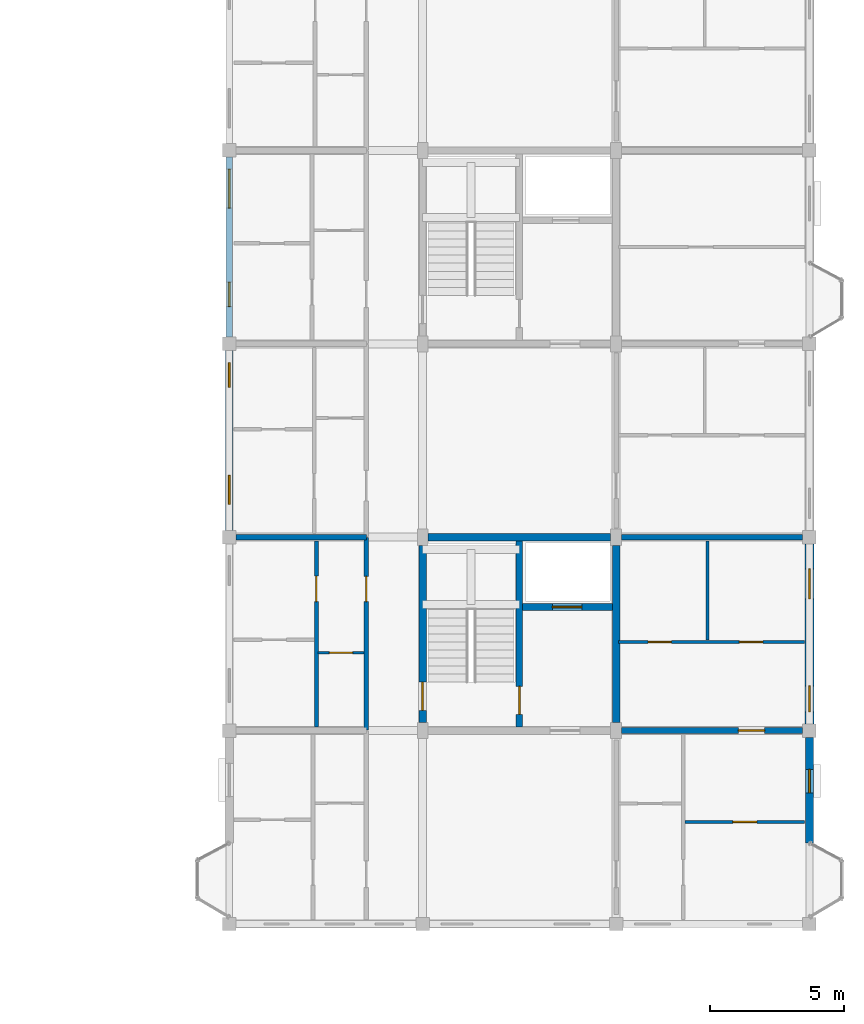
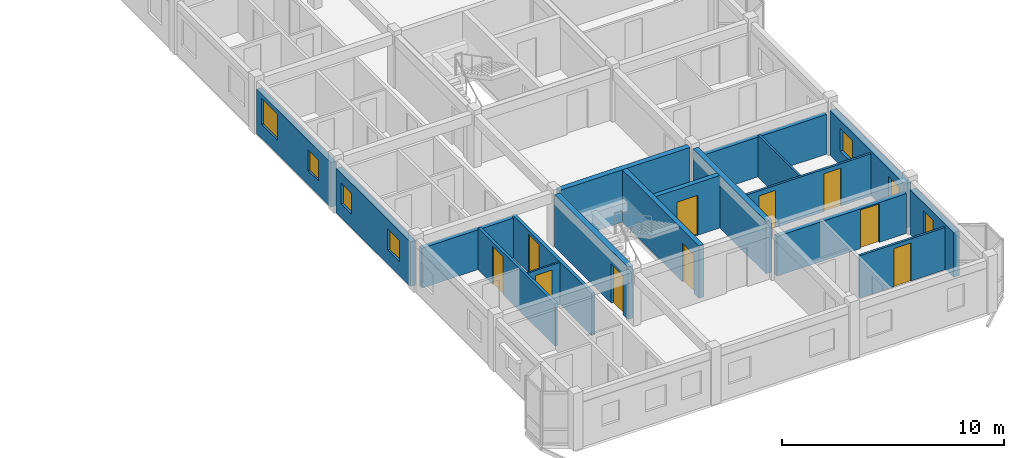
# One storey, part 51 of 65: 18 walls, 10 doors, 7 windows, 17 openings.
"""IFC4 building model written with IfcOpenShell, lengths in metres."""

from ifc_helpers import new_model, si_unit, direction, frame, frame_2d, origin, place, context, subcontext, project, spatial, rectangle, extrude, material, layer, layer_set, type_object, element, fill, save


model = new_model("IFC4")

# Units and contexts
model_context = context("Model", 3, precision=1e-05, world=origin(), true_north=direction((0.0, 1.0)))
body_context = subcontext(model_context, "Body", "Model", "MODEL_VIEW")
ifc_project = project(units=[si_unit("LENGTHUNIT", "METRE"), si_unit("AREAUNIT", "SQUARE_METRE"), si_unit("VOLUMEUNIT", "CUBIC_METRE"), si_unit("PLANEANGLEUNIT", "RADIAN"), si_unit("MASSUNIT", "GRAM", prefix="KILO"), si_unit("THERMODYNAMICTEMPERATUREUNIT", "KELVIN"), si_unit("POWERUNIT", "WATT")], contexts=[model_context])

# Site, building, storey
site_placement = place(None, origin())
site = spatial("IfcSite", under=ifc_project, at=site_placement, CompositionType="ELEMENT")
building_placement = place(site_placement, origin())
building = spatial("IfcBuilding", under=site, at=building_placement, Name="Tavuni Mirador Residences", CompositionType="ELEMENT")
storey_placement = place(building_placement, frame((0.0, 0.0, 29.699951171875)))
storey = spatial("IfcBuildingStorey", under=building, at=storey_placement, Name="L09", CompositionType="ELEMENT", Elevation=29.699951171875)

# Wall, opening, door
ifc_material_1 = material(Name="Precast concrete C40/50", Category="concrete")
ifc_layer_1 = layer(ifc_material_1, 0.25, Name="Precast concrete C40/50", Category="concrete")
ifc_layer_set_1 = layer_set([ifc_layer_1], Name="Precast concrete C40/50")
wall_type_1 = type_object("IfcWallType", Name="WT-COR250", PredefinedType="SHEAR", material=ifc_layer_set_1)
wall_1_placement = place(storey_placement, frame((108.0, 93.739990234375, 0.0), z_axis=(0.0, 0.0, 1.0), x_axis=(0.0, 1.0, 0.0)))
wall_1 = element("IfcWall", 1, at=wall_1_placement, inside=storey, type_object=wall_type_1, Name="CWALL-C7-L09-MID", PredefinedType="SHEAR", context=body_context, shape_type="SweptSolid", body=[
    extrude(rectangle(XDim=6.919921875, YDim=0.25, at=frame_2d((3.4599609375, 0.0))), origin(), (0.0, 0.0, 1.0), 2.89013671875),
])
opening_1_placement = place(wall_1_placement, frame((0.4599609375, 0.0, 0.0)))
opening_1 = element("IfcOpeningElement", 2, at=opening_1_placement, cuts=wall_1, Name="Opening D-01", PredefinedType="OPENING", context=body_context, shape_type="SweptSolid", body=[
    extrude(rectangle(XDim=1.050048828125, YDim=2.14990234375, at=frame_2d((0.52490234375, 1.074951171875))), frame((0.0, 0.135009765625, 0.0), z_axis=(0.0, -1.0, 0.0), x_axis=(1.0, 0.0, 0.0)), (0.0, 0.0, 1.0), 0.27001953125),
])
ifc_material_2 = material(Name="Solid core iroko timber", Category="wood")
door_type_1 = type_object("IfcDoorType", Name="DT-ST1050", OperationType="NOTDEFINED", PredefinedType="DOOR", material=ifc_material_2)
door_1_placement = place(opening_1_placement, origin())
door_1 = element("IfcDoor", 3, at=door_1_placement, inside=storey, type_object=door_type_1, Name="DR-2303", OperationType="SINGLE_SWING_LEFT", OverallHeight=2.14990234375, OverallWidth=1.050048828125, PredefinedType="DOOR", context=body_context, shape_type="SweptSolid", body=[
    extrude(rectangle(XDim=1.050048828125, YDim=2.14990234375, at=frame_2d((0.52490234375, 1.074951171875))), frame((0.0, 0.02490234375, 0.0), z_axis=(0.0, -1.0, 0.0), x_axis=(1.0, 0.0, 0.0)), (0.0, 0.0, 1.0), 0.050048828125),
])
fill(opening_1, door_1)

wall_2_placement = place(storey_placement, frame((108.125, 98.199951171875, 0.0), z_axis=(0.0, 0.0, 1.0), x_axis=(1.0, 0.0, 0.0)))
wall_2 = element("IfcWall", 4, at=wall_2_placement, inside=storey, type_object=wall_type_1, Name="CWALL-C7-L09-SHF", PredefinedType="SHEAR", context=body_context, shape_type="SweptSolid", body=[
    extrude(rectangle(XDim=3.3349609375, YDim=0.25, at=frame_2d((1.66748046875, 0.0))), origin(), (0.0, 0.0, 1.0), 2.89013671875),
])
opening_2_placement = place(wall_2_placement, frame((1.10009765625, 0.0, 0.0)))
opening_2 = element("IfcOpeningElement", 5, at=opening_2_placement, cuts=wall_2, Name="Opening LD-01", PredefinedType="OPENING", context=body_context, shape_type="SweptSolid", body=[
    extrude(rectangle(XDim=1.10009765625, YDim=2.199951171875, at=frame_2d((0.550048828125, 1.10009765625))), frame((0.0, 0.135009765625, 0.0), z_axis=(0.0, -1.0, 0.0), x_axis=(1.0, 0.0, 0.0)), (0.0, 0.0, 1.0), 0.27001953125),
])
ifc_material_3 = material(Name="Structural steel S355", Category="steel")
door_type_2 = type_object("IfcDoorType", Name="DT-LD-FF", OperationType="SLIDING_TO_LEFT", PredefinedType="DOOR", material=ifc_material_3)
door_2_placement = place(opening_2_placement, origin())
door_2 = element("IfcDoor", 6, at=door_2_placement, inside=storey, type_object=door_type_2, Name="Lift landing door FL-D1 L09", OperationType="SLIDING_TO_LEFT", OverallHeight=2.199951171875, OverallWidth=1.10009765625, PredefinedType="DOOR", context=body_context, shape_type="SweptSolid", body=[
    extrude(rectangle(XDim=1.10009765625, YDim=2.199951171875, at=frame_2d((0.550048828125, 1.10009765625))), frame((0.0, 0.02490234375, 0.0), z_axis=(0.0, -1.0, 0.0), x_axis=(1.0, 0.0, 0.0)), (0.0, 0.0, 1.0), 0.050048828125),
])
fill(opening_2, door_2)

ifc_layer_2 = layer(ifc_material_1, 0.280029296875, Name="Precast concrete C40/50", Category="concrete")
ifc_layer_set_2 = layer_set([ifc_layer_2], Name="Precast concrete C40/50")
wall_type_2 = type_object("IfcWallType", Name="WT-COR280", PredefinedType="SHEAR", material=ifc_layer_set_2)
wall_3_placement = place(storey_placement, frame((104.39990234375, 93.89990234375, 0.0), z_axis=(0.0, 0.0, 1.0), x_axis=(0.0, 1.0, 0.0)))
wall_3 = element("IfcWall", 7, at=wall_3_placement, inside=storey, type_object=wall_type_2, Name="CWALL-C7-L09-W", PredefinedType="SHEAR", context=body_context, shape_type="SweptSolid", body=[
    extrude(rectangle(XDim=6.60009765625, YDim=0.280029296875, at=frame_2d((3.300048828125, 0.0))), origin(), (0.0, 0.0, 1.0), 2.89013671875),
])
opening_3_placement = place(wall_3_placement, frame((0.449951171875, 0.0, 0.0)))
opening_3 = element("IfcOpeningElement", 8, at=opening_3_placement, cuts=wall_3, Name="Opening D-01", PredefinedType="OPENING", context=body_context, shape_type="SweptSolid", body=[
    extrude(rectangle(XDim=1.050048828125, YDim=2.14990234375, at=frame_2d((0.52490234375, 1.074951171875))), frame((0.0, 0.14990234375, 0.0), z_axis=(0.0, -1.0, 0.0), x_axis=(1.0, 0.0, 0.0)), (0.0, 0.0, 1.0), 0.300048828125),
])
door_3_placement = place(opening_3_placement, origin())
door_3 = element("IfcDoor", 9, at=door_3_placement, inside=storey, type_object=door_type_1, Name="DR-2301", OperationType="SINGLE_SWING_RIGHT", OverallHeight=2.14990234375, OverallWidth=1.050048828125, PredefinedType="DOOR", context=body_context, shape_type="SweptSolid", body=[
    extrude(rectangle(XDim=1.050048828125, YDim=2.14990234375, at=frame_2d((0.52490234375, 1.074951171875))), frame((0.0, 0.02490234375, 0.0), z_axis=(0.0, -1.0, 0.0), x_axis=(1.0, 0.0, 0.0)), (0.0, 0.0, 1.0), 0.050048828125),
])
fill(opening_3, door_3)

# Walls
wall_4_placement = place(storey_placement, frame((104.60009765625, 100.800048828125, 0.0), z_axis=(0.0, 0.0, 1.0), x_axis=(1.0, 0.0, 0.0)))
element("IfcWall", 10, at=wall_4_placement, inside=storey, type_object=wall_type_2, Name="CWALL-C7-L09-N", PredefinedType="SHEAR", context=body_context, shape_type="SweptSolid", body=[
    extrude(rectangle(XDim=6.7998046875, YDim=0.280029296875, at=frame_2d((3.39990234375, 0.0))), origin(), (0.0, 0.0, 1.0), 2.89013671875),
])
wall_5_placement = place(storey_placement, frame((111.60009765625, 93.89990234375, 0.0), z_axis=(0.0, 0.0, 1.0), x_axis=(0.0, 1.0, 0.0)))
element("IfcWall", 11, at=wall_5_placement, inside=storey, type_object=wall_type_2, Name="CWALL-C7-L09-E", PredefinedType="SHEAR", context=body_context, shape_type="SweptSolid", body=[
    extrude(rectangle(XDim=6.60009765625, YDim=0.280029296875, at=frame_2d((3.300048828125, 0.0))), origin(), (0.0, 0.0, 1.0), 2.89013671875),
])

# Wall, opening, door
ifc_layer_3 = layer(ifc_material_1, 0.1650390625, Name="Precast concrete C40/50", Category="concrete")
ifc_layer_set_3 = layer_set([ifc_layer_3], Name="Precast concrete C40/50")
wall_type_3 = type_object("IfcWallType", Name="WT-CORR165", PredefinedType="PARTITIONING", material=ifc_layer_set_3)
wall_6_placement = place(storey_placement, frame((102.300048828125, 93.6201171875, 0.0), z_axis=(0.0, 0.0, 1.0), x_axis=(0.0, 1.0, 0.0)))
wall_6 = element("IfcWall", 12, at=wall_6_placement, inside=storey, type_object=wall_type_3, Name="CORW-BLK-D-L09-0-01", PredefinedType="PARTITIONING", context=body_context, shape_type="SweptSolid", body=[
    extrude(rectangle(XDim=7.159912109375, YDim=0.1650390625, at=frame_2d((3.580078125, 0.0))), origin(), (0.0, 0.0, 1.0), 2.324951171875),
])
opening_4_placement = place(wall_6_placement, frame((4.780029296875, 0.0, 0.0)))
opening_4 = element("IfcOpeningElement", 13, at=opening_4_placement, cuts=wall_6, Name="Opening D-19", PredefinedType="OPENING", context=body_context, shape_type="SweptSolid", body=[
    extrude(rectangle(XDim=0.93994140625, YDim=2.1201171875, at=frame_2d((0.469970703125, 1.06005859375))), frame((0.0, 0.092529296875, 0.0), z_axis=(0.0, -1.0, 0.0), x_axis=(1.0, 0.0, 0.0)), (0.0, 0.0, 1.0), 0.18505859375),
])
door_type_3 = type_object("IfcDoorType", Name="DT-FD60-940", OperationType="NOTDEFINED", PredefinedType="DOOR", material=ifc_material_2)
door_4_placement = place(opening_4_placement, origin())
door_4 = element("IfcDoor", 14, at=door_4_placement, inside=storey, type_object=door_type_3, Name="DR-2914", OperationType="SINGLE_SWING_LEFT", OverallHeight=2.1201171875, OverallWidth=0.93994140625, PredefinedType="DOOR", context=body_context, shape_type="SweptSolid", body=[
    extrude(rectangle(XDim=0.93994140625, YDim=2.1201171875, at=frame_2d((0.469970703125, 1.06005859375))), frame((0.0, 0.02490234375, 0.0), z_axis=(0.0, -1.0, 0.0), x_axis=(1.0, 0.0, 0.0)), (0.0, 0.0, 1.0), 0.050048828125),
])
fill(opening_4, door_4)

# Wall, openings, windows
ifc_material_4 = material(Name="Sgraffito lime-rendered precast concrete C40/50", Category="concrete")
ifc_layer_4 = layer(ifc_material_4, 0.2548828125, Name="Sgraffito lime-rendered precast concrete C40/50", Category="concrete")
ifc_layer_set_4 = layer_set([ifc_layer_4], Name="Sgraffito lime-rendered precast concrete C40/50")
wall_type_4 = type_object("IfcWallType", Name="WT-EXT-PC255", PredefinedType="SOLIDWALL", material=ifc_layer_set_4)
wall_7_placement = place(storey_placement, frame((97.199951171875, 114.949951171875, 0.0), z_axis=(0.0, 0.0, 1.0), x_axis=(0.0, -1.0, 0.0)))
wall_7 = element("IfcWall", 15, at=wall_7_placement, inside=storey, type_object=wall_type_4, Name="EW-BLK-D-L09-W03", PredefinedType="SOLIDWALL", context=body_context, shape_type="SweptSolid", body=[
    extrude(rectangle(XDim=6.699951171875, YDim=0.2548828125, at=frame_2d((3.35009765625, 0.0))), origin(), (0.0, 0.0, 1.0), 2.4599609375),
])
opening_5_placement = place(wall_7_placement, frame((0.449951171875, 0.0, 0.780029296875)))
opening_5 = element("IfcOpeningElement", 16, at=opening_5_placement, cuts=wall_7, Name="Opening WN-30", PredefinedType="OPENING", context=body_context, shape_type="SweptSolid", body=[
    extrude(rectangle(XDim=1.449951171875, YDim=1.43994140625, at=frame_2d((0.72509765625, 0.719970703125))), frame((0.0, 0.137451171875, 0.0), z_axis=(0.0, -1.0, 0.0), x_axis=(1.0, 0.0, 0.0)), (0.0, 0.0, 1.0), 0.27490234375),
])
opening_6_placement = place(wall_7_placement, frame((4.64990234375, 0.0, 0.780029296875)))
opening_6 = element("IfcOpeningElement", 17, at=opening_6_placement, cuts=wall_7, Name="Opening WN-02", PredefinedType="OPENING", context=body_context, shape_type="SweptSolid", body=[
    extrude(rectangle(XDim=0.919921875, YDim=1.14990234375, at=frame_2d((0.4599609375, 0.574951171875))), frame((0.0, 0.137451171875, 0.0), z_axis=(0.0, -1.0, 0.0), x_axis=(1.0, 0.0, 0.0)), (0.0, 0.0, 1.0), 0.27490234375),
])
ifc_material_5 = material(Name="Laminated solar-control glass", Category="glass")
window_type_1 = type_object("IfcWindowType", Name="WNT-02", PartitioningType="SINGLE_PANEL", PredefinedType="WINDOW", material=ifc_material_5)
window_1_placement = place(opening_6_placement, origin())
window_1 = element("IfcWindow", 18, at=window_1_placement, inside=storey, type_object=window_type_1, Name="WIN-1791", OverallHeight=1.14990234375, OverallWidth=0.919921875, PartitioningType="SINGLE_PANEL", PredefinedType="WINDOW", context=body_context, shape_type="SweptSolid", body=[
    extrude(rectangle(XDim=0.919921875, YDim=1.14990234375, at=frame_2d((0.4599609375, 0.574951171875))), frame((0.0, 0.030029296875, 0.0), z_axis=(0.0, -1.0, 0.0), x_axis=(1.0, 0.0, 0.0)), (0.0, 0.0, 1.0), 0.06005859375),
])
fill(opening_6, window_1)
window_type_2 = type_object("IfcWindowType", Name="WNT-30", PartitioningType="SINGLE_PANEL", PredefinedType="WINDOW", material=ifc_material_5)
window_2_placement = place(opening_5_placement, origin())
window_2 = element("IfcWindow", 19, at=window_2_placement, inside=storey, type_object=window_type_2, Name="WIN-1790", OverallHeight=1.43994140625, OverallWidth=1.449951171875, PartitioningType="SINGLE_PANEL", PredefinedType="WINDOW", context=body_context, shape_type="SweptSolid", body=[
    extrude(rectangle(XDim=1.449951171875, YDim=1.43994140625, at=frame_2d((0.72509765625, 0.719970703125))), frame((0.0, 0.030029296875, 0.0), z_axis=(0.0, -1.0, 0.0), x_axis=(1.0, 0.0, 0.0)), (0.0, 0.0, 1.0), 0.06005859375),
])
fill(opening_5, window_2)

ifc_layer_5 = layer(ifc_material_4, 0.27490234375, Name="Sgraffito lime-rendered precast concrete C40/50", Category="concrete")
ifc_layer_set_5 = layer_set([ifc_layer_5], Name="Sgraffito lime-rendered precast concrete C40/50")
wall_type_5 = type_object("IfcWallType", Name="WT-EXT-PC275", PredefinedType="SOLIDWALL", material=ifc_layer_set_5)
wall_8_placement = place(storey_placement, frame((97.199951171875, 107.75, 0.0), z_axis=(0.0, 0.0, 1.0), x_axis=(0.0, -1.0, 0.0)))
wall_8 = element("IfcWall", 20, at=wall_8_placement, inside=storey, type_object=wall_type_5, Name="EW-BLK-D-L09-W02", PredefinedType="SOLIDWALL", context=body_context, shape_type="SweptSolid", body=[
    extrude(rectangle(XDim=6.699951171875, YDim=0.27490234375, at=frame_2d((3.35009765625, 0.0))), origin(), (0.0, 0.0, 1.0), 2.4599609375),
])
opening_7_placement = place(wall_8_placement, frame((0.449951171875, 0.0, 0.780029296875)))
opening_7 = element("IfcOpeningElement", 21, at=opening_7_placement, cuts=wall_8, Name="Opening WN-02", PredefinedType="OPENING", context=body_context, shape_type="SweptSolid", body=[
    extrude(rectangle(XDim=0.919921875, YDim=1.14990234375, at=frame_2d((0.4599609375, 0.574951171875))), frame((0.0, 0.1474609375, 0.0), z_axis=(0.0, -1.0, 0.0), x_axis=(1.0, 0.0, 0.0)), (0.0, 0.0, 1.0), 0.294921875),
])
opening_8_placement = place(wall_8_placement, frame((4.64990234375, 0.0, 0.780029296875)))
opening_8 = element("IfcOpeningElement", 22, at=opening_8_placement, cuts=wall_8, Name="Opening WN-04", PredefinedType="OPENING", context=body_context, shape_type="SweptSolid", body=[
    extrude(rectangle(XDim=1.080078125, YDim=1.14990234375, at=frame_2d((0.5400390625, 0.574951171875))), frame((0.0, 0.1474609375, 0.0), z_axis=(0.0, -1.0, 0.0), x_axis=(1.0, 0.0, 0.0)), (0.0, 0.0, 1.0), 0.294921875),
])
window_3_placement = place(opening_7_placement, origin())
window_3 = element("IfcWindow", 23, at=window_3_placement, inside=storey, type_object=window_type_1, Name="WIN-1792", OverallHeight=1.14990234375, OverallWidth=0.919921875, PartitioningType="SINGLE_PANEL", PredefinedType="WINDOW", context=body_context, shape_type="SweptSolid", body=[
    extrude(rectangle(XDim=0.919921875, YDim=1.14990234375, at=frame_2d((0.4599609375, 0.574951171875))), frame((0.0, 0.030029296875, 0.0), z_axis=(0.0, -1.0, 0.0), x_axis=(1.0, 0.0, 0.0)), (0.0, 0.0, 1.0), 0.06005859375),
])
fill(opening_7, window_3)
window_type_3 = type_object("IfcWindowType", Name="WNT-04", PartitioningType="SINGLE_PANEL", PredefinedType="WINDOW", material=ifc_material_5)
window_4_placement = place(opening_8_placement, origin())
window_4 = element("IfcWindow", 24, at=window_4_placement, inside=storey, type_object=window_type_3, Name="WIN-1793", OverallHeight=1.14990234375, OverallWidth=1.080078125, PartitioningType="SINGLE_PANEL", PredefinedType="WINDOW", context=body_context, shape_type="SweptSolid", body=[
    extrude(rectangle(XDim=1.080078125, YDim=1.14990234375, at=frame_2d((0.5400390625, 0.574951171875))), frame((0.0, 0.030029296875, 0.0), z_axis=(0.0, -1.0, 0.0), x_axis=(1.0, 0.0, 0.0)), (0.0, 0.0, 1.0), 0.06005859375),
])
fill(opening_8, window_4)

# Wall, opening, window
ifc_layer_6 = layer(ifc_material_4, 0.304931640625, Name="Sgraffito lime-rendered precast concrete C40/50", Category="concrete")
ifc_layer_set_6 = layer_set([ifc_layer_6], Name="Sgraffito lime-rendered precast concrete C40/50")
wall_type_6 = type_object("IfcWallType", Name="WT-EXT-PC305", PredefinedType="SOLIDWALL", material=ifc_layer_set_6)
wall_9_placement = place(storey_placement, frame((118.800048828125, 89.419921875, 0.0), z_axis=(0.0, 0.0, 1.0), x_axis=(0.0, 1.0, 0.0)))
wall_9 = element("IfcWall", 25, at=wall_9_placement, inside=storey, type_object=wall_type_6, Name="EW-BLK-D-L09-E00", PredefinedType="SOLIDWALL", context=body_context, shape_type="SweptSolid", body=[
    extrude(rectangle(XDim=3.93017578125, YDim=0.304931640625, at=frame_2d((1.965087890625, 0.0))), origin(), (0.0, 0.0, 1.0), 2.4599609375),
])
opening_9_placement = place(wall_9_placement, frame((1.860107421875, 0.0, 0.780029296875)))
opening_9 = element("IfcOpeningElement", 26, at=opening_9_placement, cuts=wall_9, Name="Opening WN-09", PredefinedType="OPENING", context=body_context, shape_type="SweptSolid", body=[
    extrude(rectangle(XDim=0.8798828125, YDim=1.260009765625, at=frame_2d((0.43994140625, 0.6298828125))), frame((0.0, 0.16259765625, 0.0), z_axis=(0.0, -1.0, 0.0), x_axis=(1.0, 0.0, 0.0)), (0.0, 0.0, 1.0), 0.324951171875),
])
window_type_4 = type_object("IfcWindowType", Name="WNT-09", PartitioningType="SINGLE_PANEL", PredefinedType="WINDOW", material=ifc_material_5)
window_5_placement = place(opening_9_placement, origin())
window_5 = element("IfcWindow", 27, at=window_5_placement, inside=storey, type_object=window_type_4, Name="WIN-1769", OverallHeight=1.260009765625, OverallWidth=0.8798828125, PartitioningType="SINGLE_PANEL", PredefinedType="WINDOW", context=body_context, shape_type="SweptSolid", body=[
    extrude(rectangle(XDim=0.8798828125, YDim=1.260009765625, at=frame_2d((0.43994140625, 0.6298828125))), frame((0.0, 0.030029296875, 0.0), z_axis=(0.0, -1.0, 0.0), x_axis=(1.0, 0.0, 0.0)), (0.0, 0.0, 1.0), 0.06005859375),
])
fill(opening_9, window_5)

# Wall, openings, windows
ifc_layer_7 = layer(ifc_material_4, 0.344970703125, Name="Sgraffito lime-rendered precast concrete C40/50", Category="concrete")
ifc_layer_set_7 = layer_set([ifc_layer_7], Name="Sgraffito lime-rendered precast concrete C40/50")
wall_type_7 = type_object("IfcWallType", Name="WT-EXT-PTY345", PredefinedType="SOLIDWALL", material=ifc_layer_set_7)
wall_10_placement = place(storey_placement, frame((118.800048828125, 93.85009765625, 0.0), z_axis=(0.0, 0.0, 1.0), x_axis=(0.0, 1.0, 0.0)))
wall_10 = element("IfcWall", 28, at=wall_10_placement, inside=storey, type_object=wall_type_7, Name="EW-BLK-D-L09-E01", PredefinedType="SOLIDWALL", context=body_context, shape_type="SweptSolid", body=[
    extrude(rectangle(XDim=6.699951171875, YDim=0.344970703125, at=frame_2d((3.35009765625, 0.0))), origin(), (0.0, 0.0, 1.0), 2.4599609375),
])
opening_10_placement = place(wall_10_placement, frame((0.449951171875, 0.0, 0.780029296875)))
opening_10 = element("IfcOpeningElement", 29, at=opening_10_placement, cuts=wall_10, Name="Opening WN-10", PredefinedType="OPENING", context=body_context, shape_type="SweptSolid", body=[
    extrude(rectangle(XDim=0.9599609375, YDim=1.260009765625, at=frame_2d((0.47998046875, 0.6298828125))), frame((0.0, 0.1826171875, 0.0), z_axis=(0.0, -1.0, 0.0), x_axis=(1.0, 0.0, 0.0)), (0.0, 0.0, 1.0), 0.364990234375),
])
opening_11_placement = place(wall_10_placement, frame((4.64990234375, 0.0, 0.780029296875)))
opening_11 = element("IfcOpeningElement", 30, at=opening_11_placement, cuts=wall_10, Name="Opening WN-12", PredefinedType="OPENING", context=body_context, shape_type="SweptSolid", body=[
    extrude(rectangle(XDim=1.1201171875, YDim=1.260009765625, at=frame_2d((0.56005859375, 0.6298828125))), frame((0.0, 0.1826171875, 0.0), z_axis=(0.0, -1.0, 0.0), x_axis=(1.0, 0.0, 0.0)), (0.0, 0.0, 1.0), 0.364990234375),
])
window_type_5 = type_object("IfcWindowType", Name="WNT-10", PartitioningType="SINGLE_PANEL", PredefinedType="WINDOW", material=ifc_material_5)
window_6_placement = place(opening_10_placement, origin())
window_6 = element("IfcWindow", 31, at=window_6_placement, inside=storey, type_object=window_type_5, Name="WIN-1770", OverallHeight=1.260009765625, OverallWidth=0.9599609375, PartitioningType="SINGLE_PANEL", PredefinedType="WINDOW", context=body_context, shape_type="SweptSolid", body=[
    extrude(rectangle(XDim=0.9599609375, YDim=1.260009765625, at=frame_2d((0.47998046875, 0.6298828125))), frame((0.0, 0.030029296875, 0.0), z_axis=(0.0, -1.0, 0.0), x_axis=(1.0, 0.0, 0.0)), (0.0, 0.0, 1.0), 0.06005859375),
])
fill(opening_10, window_6)
window_type_6 = type_object("IfcWindowType", Name="WNT-12", PartitioningType="SINGLE_PANEL", PredefinedType="WINDOW", material=ifc_material_5)
window_7_placement = place(opening_11_placement, origin())
window_7 = element("IfcWindow", 32, at=window_7_placement, inside=storey, type_object=window_type_6, Name="WIN-1771", OverallHeight=1.260009765625, OverallWidth=1.1201171875, PartitioningType="SINGLE_PANEL", PredefinedType="WINDOW", context=body_context, shape_type="SweptSolid", body=[
    extrude(rectangle(XDim=1.1201171875, YDim=1.260009765625, at=frame_2d((0.56005859375, 0.6298828125))), frame((0.0, 0.030029296875, 0.0), z_axis=(0.0, -1.0, 0.0), x_axis=(1.0, 0.0, 0.0)), (0.0, 0.0, 1.0), 0.06005859375),
])
fill(opening_11, window_7)

# Wall, opening, door
ifc_material_6 = material(Name="Acoustic gypsum and concrete block partition", Category="concrete")
ifc_layer_8 = layer(ifc_material_6, 0.094970703125, Name="Acoustic gypsum and concrete block partition", Category="concrete")
ifc_layer_set_8 = layer_set([ifc_layer_8], Name="Acoustic gypsum and concrete block partition")
wall_type_8 = type_object("IfcWallType", Name="WT-PART095", PredefinedType="PARTITIONING", material=ifc_layer_set_8)
wall_11_placement = place(storey_placement, frame((100.510009765625, 96.5, 0.0), z_axis=(0.0, 0.0, 1.0), x_axis=(1.0, 0.0, 0.0)))
wall_11 = element("IfcWall", 33, at=wall_11_placement, inside=storey, type_object=wall_type_8, Name="PW-BLK-D-L09-W01-IN1", PredefinedType="PARTITIONING", context=body_context, shape_type="SweptSolid", body=[
    extrude(rectangle(XDim=1.699951171875, YDim=0.094970703125, at=frame_2d((0.85009765625, 0.0))), origin(), (0.0, 0.0, 1.0), 2.324951171875),
])
opening_12_placement = place(wall_11_placement, frame((0.4150390625, 0.0, 0.0)))
opening_12 = element("IfcOpeningElement", 34, at=opening_12_placement, cuts=wall_11, Name="Opening D-10", PredefinedType="OPENING", context=body_context, shape_type="SweptSolid", body=[
    extrude(rectangle(XDim=0.8701171875, YDim=2.050048828125, at=frame_2d((0.43505859375, 1.02490234375))), frame((0.0, 0.0576171875, 0.0), z_axis=(0.0, -1.0, 0.0), x_axis=(1.0, 0.0, 0.0)), (0.0, 0.0, 1.0), 0.114990234375),
])
door_type_4 = type_object("IfcDoorType", Name="DT-WC870", OperationType="NOTDEFINED", PredefinedType="DOOR", material=ifc_material_2)
door_5_placement = place(opening_12_placement, origin())
door_5 = element("IfcDoor", 35, at=door_5_placement, inside=storey, type_object=door_type_4, Name="DR-4621", OperationType="SINGLE_SWING_RIGHT", OverallHeight=2.050048828125, OverallWidth=0.8701171875, PredefinedType="DOOR", context=body_context, shape_type="SweptSolid", body=[
    extrude(rectangle(XDim=0.8701171875, YDim=2.050048828125, at=frame_2d((0.43505859375, 1.02490234375))), frame((0.0, 0.02490234375, 0.0), z_axis=(0.0, -1.0, 0.0), x_axis=(1.0, 0.0, 0.0)), (0.0, 0.0, 1.0), 0.050048828125),
])
fill(opening_12, door_5)

# Wall
ifc_layer_9 = layer(ifc_material_6, 0.10498046875, Name="Acoustic gypsum and concrete block partition", Category="concrete")
ifc_layer_set_9 = layer_set([ifc_layer_9], Name="Acoustic gypsum and concrete block partition")
wall_type_9 = type_object("IfcWallType", Name="WT-PART105", PredefinedType="PARTITIONING", material=ifc_layer_set_9)
wall_12_placement = place(storey_placement, frame((115.0, 96.969970703125, 0.0), z_axis=(0.0, 0.0, 1.0), x_axis=(0.0, 1.0, 0.0)))
element("IfcWall", 36, at=wall_12_placement, inside=storey, type_object=wall_type_9, Name="PW-BLK-D-L09-PF01-V", PredefinedType="PARTITIONING", context=body_context, shape_type="SweptSolid", body=[
    extrude(rectangle(XDim=3.68994140625, YDim=0.10498046875, at=frame_2d((1.844970703125, 0.0))), origin(), (0.0, 0.0, 1.0), 2.324951171875),
])

# Wall, opening, door
ifc_layer_10 = layer(ifc_material_6, 0.114990234375, Name="Acoustic gypsum and concrete block partition", Category="concrete")
ifc_layer_set_10 = layer_set([ifc_layer_10], Name="Acoustic gypsum and concrete block partition")
wall_type_10 = type_object("IfcWallType", Name="WT-PART115", PredefinedType="PARTITIONING", material=ifc_layer_set_10)
wall_13_placement = place(storey_placement, frame((114.169921875, 90.199951171875, 0.0), z_axis=(0.0, 0.0, 1.0), x_axis=(1.0, 0.0, 0.0)))
wall_13 = element("IfcWall", 37, at=wall_13_placement, inside=storey, type_object=wall_type_10, Name="PW-BLK-D-L09-E00-OUT", PredefinedType="PARTITIONING", context=body_context, shape_type="SweptSolid", body=[
    extrude(rectangle(XDim=4.455078125, YDim=0.114990234375, at=frame_2d((2.2275390625, 0.0))), origin(), (0.0, 0.0, 1.0), 2.324951171875),
])
opening_13_placement = place(wall_13_placement, frame((1.777587890625, 0.0, 0.0)))
opening_13 = element("IfcOpeningElement", 38, at=opening_13_placement, cuts=wall_13, Name="Opening D-07", PredefinedType="OPENING", context=body_context, shape_type="SweptSolid", body=[
    extrude(rectangle(XDim=0.89990234375, YDim=2.10009765625, at=frame_2d((0.449951171875, 1.050048828125))), frame((0.0, 0.0673828125, 0.0), z_axis=(0.0, -1.0, 0.0), x_axis=(1.0, 0.0, 0.0)), (0.0, 0.0, 1.0), 0.135009765625),
])
door_type_5 = type_object("IfcDoorType", Name="DT-BED900", OperationType="NOTDEFINED", PredefinedType="DOOR", material=ifc_material_2)
door_6_placement = place(opening_13_placement, origin())
door_6 = element("IfcDoor", 39, at=door_6_placement, inside=storey, type_object=door_type_5, Name="DR-4617", OperationType="SINGLE_SWING_LEFT", OverallHeight=2.10009765625, OverallWidth=0.89990234375, PredefinedType="DOOR", context=body_context, shape_type="SweptSolid", body=[
    extrude(rectangle(XDim=0.89990234375, YDim=2.10009765625, at=frame_2d((0.449951171875, 1.050048828125))), frame((0.0, 0.02490234375, 0.0), z_axis=(0.0, -1.0, 0.0), x_axis=(1.0, 0.0, 0.0)), (0.0, 0.0, 1.0), 0.050048828125),
])
fill(opening_13, door_6)

# Wall, openings, doors
wall_14_placement = place(storey_placement, frame((111.68994140625, 96.89990234375, 0.0), z_axis=(0.0, 0.0, 1.0), x_axis=(1.0, 0.0, 0.0)))
wall_14 = element("IfcWall", 40, at=wall_14_placement, inside=storey, type_object=wall_type_10, Name="PW-BLK-D-L09-PF01-H", PredefinedType="PARTITIONING", context=body_context, shape_type="SweptSolid", body=[
    extrude(rectangle(XDim=6.93505859375, YDim=0.114990234375, at=frame_2d((3.467529296875, 0.0))), origin(), (0.0, 0.0, 1.0), 2.324951171875),
])
opening_14_placement = place(wall_14_placement, frame((1.10009765625, 0.0, 0.0)))
opening_14 = element("IfcOpeningElement", 41, at=opening_14_placement, cuts=wall_14, Name="Opening D-10", PredefinedType="OPENING", context=body_context, shape_type="SweptSolid", body=[
    extrude(rectangle(XDim=0.8701171875, YDim=2.050048828125, at=frame_2d((0.43505859375, 1.02490234375))), frame((0.0, 0.0673828125, 0.0), z_axis=(0.0, -1.0, 0.0), x_axis=(1.0, 0.0, 0.0)), (0.0, 0.0, 1.0), 0.135009765625),
])
opening_15_placement = place(wall_14_placement, frame((4.5, 0.0, 0.0)))
opening_15 = element("IfcOpeningElement", 42, at=opening_15_placement, cuts=wall_14, Name="Opening D-08", PredefinedType="OPENING", context=body_context, shape_type="SweptSolid", body=[
    extrude(rectangle(XDim=0.8798828125, YDim=2.080078125, at=frame_2d((0.43994140625, 1.0400390625))), frame((0.0, 0.0673828125, 0.0), z_axis=(0.0, -1.0, 0.0), x_axis=(1.0, 0.0, 0.0)), (0.0, 0.0, 1.0), 0.135009765625),
])
door_type_6 = type_object("IfcDoorType", Name="DT-BED880", OperationType="NOTDEFINED", PredefinedType="DOOR", material=ifc_material_2)
door_7_placement = place(opening_15_placement, origin())
door_7 = element("IfcDoor", 43, at=door_7_placement, inside=storey, type_object=door_type_6, Name="DR-4624", OperationType="SINGLE_SWING_RIGHT", OverallHeight=2.080078125, OverallWidth=0.8798828125, PredefinedType="DOOR", context=body_context, shape_type="SweptSolid", body=[
    extrude(rectangle(XDim=0.8798828125, YDim=2.080078125, at=frame_2d((0.43994140625, 1.0400390625))), frame((0.0, 0.02490234375, 0.0), z_axis=(0.0, -1.0, 0.0), x_axis=(1.0, 0.0, 0.0)), (0.0, 0.0, 1.0), 0.050048828125),
])
fill(opening_15, door_7)
door_8_placement = place(opening_14_placement, origin())
door_8 = element("IfcDoor", 44, at=door_8_placement, inside=storey, type_object=door_type_4, Name="DR-4623", OperationType="SINGLE_SWING_LEFT", OverallHeight=2.050048828125, OverallWidth=0.8701171875, PredefinedType="DOOR", context=body_context, shape_type="SweptSolid", body=[
    extrude(rectangle(XDim=0.8701171875, YDim=2.050048828125, at=frame_2d((0.43505859375, 1.02490234375))), frame((0.0, 0.02490234375, 0.0), z_axis=(0.0, -1.0, 0.0), x_axis=(1.0, 0.0, 0.0)), (0.0, 0.0, 1.0), 0.050048828125),
])
fill(opening_14, door_8)

# Wall, opening, door
ifc_layer_11 = layer(ifc_material_6, 0.14990234375, Name="Acoustic gypsum and concrete block partition", Category="concrete")
ifc_layer_set_11 = layer_set([ifc_layer_11], Name="Acoustic gypsum and concrete block partition")
wall_type_11 = type_object("IfcWallType", Name="WT-PART150", PredefinedType="PARTITIONING", material=ifc_layer_set_11)
wall_15_placement = place(storey_placement, frame((100.43994140625, 93.739990234375, 0.0), z_axis=(0.0, 0.0, 1.0), x_axis=(0.0, 1.0, 0.0)))
wall_15 = element("IfcWall", 45, at=wall_15_placement, inside=storey, type_object=wall_type_11, Name="PW-BLK-D-L09-W01-MID", PredefinedType="PARTITIONING", context=body_context, shape_type="SweptSolid", body=[
    extrude(rectangle(XDim=6.919921875, YDim=0.14990234375, at=frame_2d((3.4599609375, 0.0))), origin(), (0.0, 0.0, 1.0), 2.324951171875),
])
opening_16_placement = place(wall_15_placement, frame((4.659912109375, 0.0, 0.0)))
opening_16 = element("IfcOpeningElement", 46, at=opening_16_placement, cuts=wall_15, Name="Opening D-05", PredefinedType="OPENING", context=body_context, shape_type="SweptSolid", body=[
    extrude(rectangle(XDim=0.949951171875, YDim=2.10009765625, at=frame_2d((0.47509765625, 1.050048828125))), frame((0.0, 0.0849609375, 0.0), z_axis=(0.0, -1.0, 0.0), x_axis=(1.0, 0.0, 0.0)), (0.0, 0.0, 1.0), 0.169921875),
])
door_type_7 = type_object("IfcDoorType", Name="DT-INT950", OperationType="NOTDEFINED", PredefinedType="DOOR", material=ifc_material_2)
door_9_placement = place(opening_16_placement, origin())
door_9 = element("IfcDoor", 47, at=door_9_placement, inside=storey, type_object=door_type_7, Name="DR-4622", OperationType="SINGLE_SWING_LEFT", OverallHeight=2.10009765625, OverallWidth=0.949951171875, PredefinedType="DOOR", context=body_context, shape_type="SweptSolid", body=[
    extrude(rectangle(XDim=0.949951171875, YDim=2.10009765625, at=frame_2d((0.47509765625, 1.050048828125))), frame((0.0, 0.02490234375, 0.0), z_axis=(0.0, -1.0, 0.0), x_axis=(1.0, 0.0, 0.0)), (0.0, 0.0, 1.0), 0.050048828125),
])
fill(opening_16, door_9)

ifc_layer_12 = layer(ifc_material_1, 0.215087890625, Name="Precast concrete C40/50", Category="concrete")
ifc_layer_set_12 = layer_set([ifc_layer_12], Name="Precast concrete C40/50")
wall_type_12 = type_object("IfcWallType", Name="WT-XW215", PredefinedType="SOLIDWALL", material=ifc_layer_set_12)
wall_16_placement = place(storey_placement, frame((111.800048828125, 93.60009765625, 0.0), z_axis=(0.0, 0.0, 1.0), x_axis=(1.0, 0.0, 0.0)))
wall_16 = element("IfcWall", 48, at=wall_16_placement, inside=storey, type_object=wall_type_12, Name="XW-BLK-D-L09-E-01", PredefinedType="SOLIDWALL", context=body_context, shape_type="SweptSolid", body=[
    extrude(rectangle(XDim=6.75, YDim=0.215087890625, at=frame_2d((3.375, 0.0))), origin(), (0.0, 0.0, 1.0), 2.18994140625),
])
opening_17_placement = place(wall_16_placement, frame((4.35009765625, 0.0, 0.0)))
opening_17 = element("IfcOpeningElement", 49, at=opening_17_placement, cuts=wall_16, Name="Opening D-04", PredefinedType="OPENING", context=body_context, shape_type="SweptSolid", body=[
    extrude(rectangle(XDim=0.97998046875, YDim=2.1201171875, at=frame_2d((0.489990234375, 1.06005859375))), frame((0.0, 0.11767578125, 0.0), z_axis=(0.0, -1.0, 0.0), x_axis=(1.0, 0.0, 0.0)), (0.0, 0.0, 1.0), 0.235107421875),
])
door_type_8 = type_object("IfcDoorType", Name="DT-FD60-980", OperationType="NOTDEFINED", PredefinedType="DOOR", material=ifc_material_2)
door_10_placement = place(opening_17_placement, origin())
door_10 = element("IfcDoor", 50, at=door_10_placement, inside=storey, type_object=door_type_8, Name="DR-4776", OperationType="SINGLE_SWING_LEFT", OverallHeight=2.1201171875, OverallWidth=0.97998046875, PredefinedType="DOOR", context=body_context, shape_type="SweptSolid", body=[
    extrude(rectangle(XDim=0.97998046875, YDim=2.1201171875, at=frame_2d((0.489990234375, 1.06005859375))), frame((0.0, 0.02490234375, 0.0), z_axis=(0.0, -1.0, 0.0), x_axis=(1.0, 0.0, 0.0)), (0.0, 0.0, 1.0), 0.050048828125),
])
fill(opening_17, door_10)

# Walls
wall_17_placement = place(storey_placement, frame((97.449951171875, 100.800048828125, 0.0), z_axis=(0.0, 0.0, 1.0), x_axis=(1.0, 0.0, 0.0)))
element("IfcWall", 51, at=wall_17_placement, inside=storey, type_object=wall_type_12, Name="XW-BLK-D-L09-W-02", PredefinedType="SOLIDWALL", context=body_context, shape_type="SweptSolid", body=[
    extrude(rectangle(XDim=4.85009765625, YDim=0.215087890625, at=frame_2d((2.425048828125, 0.0))), origin(), (0.0, 0.0, 1.0), 2.18994140625),
])
wall_18_placement = place(storey_placement, frame((111.800048828125, 100.800048828125, 0.0), z_axis=(0.0, 0.0, 1.0), x_axis=(1.0, 0.0, 0.0)))
element("IfcWall", 52, at=wall_18_placement, inside=storey, type_object=wall_type_12, Name="XW-BLK-D-L09-E-02", PredefinedType="SOLIDWALL", context=body_context, shape_type="SweptSolid", body=[
    extrude(rectangle(XDim=6.75, YDim=0.215087890625, at=frame_2d((3.375, 0.0))), origin(), (0.0, 0.0, 1.0), 2.18994140625),
])

save(model, "model.ifc")
